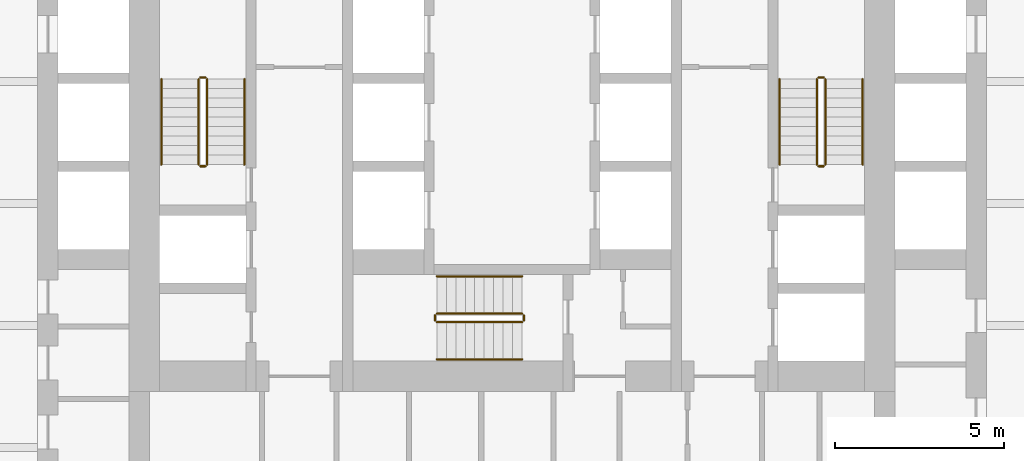
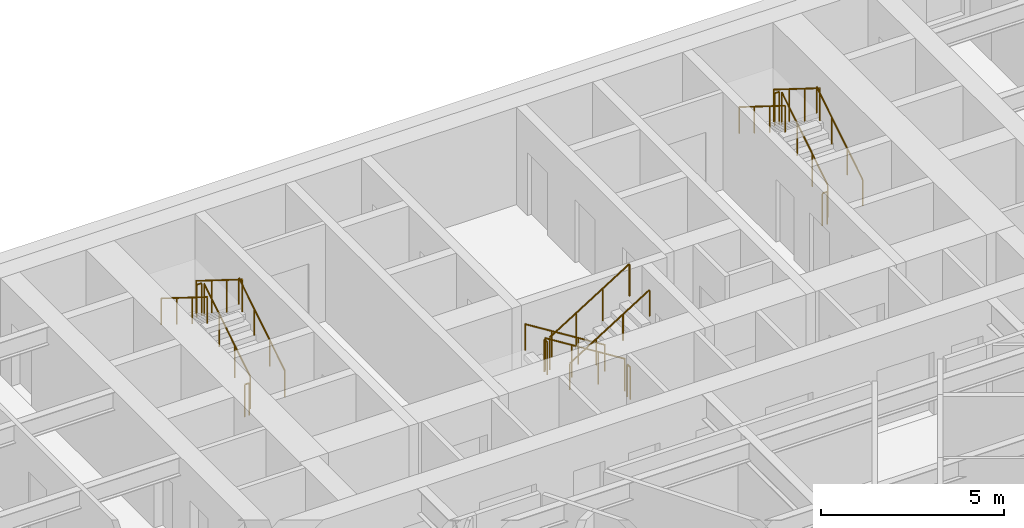
# One storey, part 8 of 9: 18 railings.
"""IFC4 building model written with IfcOpenShell, lengths in metres."""

from ifc_helpers import new_model, si_unit, direction, frame, origin, origin_2d, place, context, subcontext, project, spatial, circle, extrude, material, type_object, element, save


model = new_model("IFC4")

# Units and contexts
model_context = context("Model", 3, precision=1e-05, world=origin(), true_north=direction((0.0, 1.0)))
body_context = subcontext(model_context, "Body", "Model", "MODEL_VIEW")
ifc_project = project(units=[si_unit("LENGTHUNIT", "METRE"), si_unit("AREAUNIT", "SQUARE_METRE"), si_unit("VOLUMEUNIT", "CUBIC_METRE"), si_unit("PLANEANGLEUNIT", "RADIAN"), si_unit("MASSUNIT", "GRAM", prefix="KILO")], contexts=[model_context])

# Site, building, storey
site_placement = place(None, origin())
site = spatial("IfcSite", under=ifc_project, at=site_placement, CompositionType="ELEMENT")
building_placement = place(site_placement, origin())
building = spatial("IfcBuilding", under=site, at=building_placement, Name="Aloe Facet Convention Tower", CompositionType="ELEMENT")
storey_placement = place(building_placement, frame((0.0, 0.0, 120.300048828125)))
storey = spatial("IfcBuildingStorey", under=building, at=storey_placement, Name="L30", CompositionType="ELEMENT", Elevation=120.300048828125)

# Railings
ifc_material_1 = material(Name="Steel S355 balustrade", Category="steel")
railing_type_1 = type_object("IfcRailingType", Name="CR-RL-GUARD", PredefinedType="GUARDRAIL", material=ifc_material_1)
railing_1_placement = place(storey_placement, frame((71.0, 128.949951171875, 0.175048828125)))
element("IfcRailing", 1, at=railing_1_placement, inside=storey, type_object=railing_type_1, Name="L30 ST1 stair guard 1", PredefinedType="GUARDRAIL", context=body_context, shape_type="SweptSolid", body=[
    extrude(circle(Radius=0.02392578125, at=origin_2d()), frame((0.0, 0.0, 1.076171875), z_axis=(0.0, 0.848007534815, 0.529984170421), x_axis=(-1.0, 0.0, 0.0)), (0.0, 0.0, 1.0), 2.9716796875),
    extrude(circle(Radius=0.02099609375, at=origin_2d()), origin(), (0.0, 0.0, 1.0), 1.052001953125),
    extrude(circle(Radius=0.02099609375, at=origin_2d()), frame((0.0, 0.840087890625, 0.52490234375)), (0.0, 0.0, 1.0), 1.052001953125),
    extrude(circle(Radius=0.02099609375, at=origin_2d()), frame((0.0, 1.679931640625, 1.050048828125)), (0.0, 0.0, 1.0), 1.052001953125),
    extrude(circle(Radius=0.02099609375, at=origin_2d()), frame((0.0, 2.52001953125, 1.574951171875)), (0.0, 0.0, 1.0), 1.052001953125),
])
railing_2_placement = place(storey_placement, frame((70.949951171875, 131.52001953125, 1.75)))
element("IfcRailing", 2, at=railing_2_placement, inside=storey, type_object=railing_type_1, Name="L30 ST1 stair guard 2", PredefinedType="GUARDRAIL", context=body_context, shape_type="SweptSolid", body=[
    extrude(circle(Radius=0.02392578125, at=origin_2d()), frame((0.0, 0.0, 1.076171875), z_axis=(-1.0, 0.0, 0.0), x_axis=(0.0, -1.0, 0.0)), (0.0, 0.0, 1.0), 0.14990234375),
    extrude(circle(Radius=0.02099609375, at=origin_2d()), origin(), (0.0, 0.0, 1.0), 1.052001953125),
    extrude(circle(Radius=0.02099609375, at=origin_2d()), frame((-0.14990234375, 0.0, 0.0)), (0.0, 0.0, 1.0), 1.052001953125),
])
railing_3_placement = place(storey_placement, frame((70.75, 131.469970703125, 1.925048828125)))
element("IfcRailing", 3, at=railing_3_placement, inside=storey, type_object=railing_type_1, Name="L30 ST1 stair guard 3", PredefinedType="GUARDRAIL", context=body_context, shape_type="SweptSolid", body=[
    extrude(circle(Radius=0.02392578125, at=origin_2d()), frame((0.0, 0.0, 1.076171875), z_axis=(0.0, -0.848007534815, 0.529984170421), x_axis=(1.0, 0.0, 0.0)), (0.0, 0.0, 1.0), 2.9716796875),
    extrude(circle(Radius=0.02099609375, at=origin_2d()), origin(), (0.0, 0.0, 1.0), 1.052001953125),
    extrude(circle(Radius=0.02099609375, at=origin_2d()), frame((0.0, -0.840087890625, 0.52490234375)), (0.0, 0.0, 1.0), 1.052001953125),
    extrude(circle(Radius=0.02099609375, at=origin_2d()), frame((0.0, -1.679931640625, 1.050048828125)), (0.0, 0.0, 1.0), 1.052001953125),
    extrude(circle(Radius=0.02099609375, at=origin_2d()), frame((0.0, -2.52001953125, 1.574951171875)), (0.0, 0.0, 1.0), 1.052001953125),
])
railing_4_placement = place(storey_placement, frame((70.949951171875, 128.89990234375, 0.0)))
element("IfcRailing", 4, at=railing_4_placement, inside=storey, type_object=railing_type_1, Name="L30 ST1 stair guard 4", PredefinedType="GUARDRAIL", context=body_context, shape_type="SweptSolid", body=[
    extrude(circle(Radius=0.02392578125, at=origin_2d()), frame((0.0, 0.0, 1.076171875), z_axis=(-1.0, 0.0, 0.0), x_axis=(0.0, -1.0, 0.0)), (0.0, 0.0, 1.0), 0.14990234375),
    extrude(circle(Radius=0.02099609375, at=origin_2d()), origin(), (0.0, 0.0, 1.0), 1.052001953125),
    extrude(circle(Radius=0.02099609375, at=origin_2d()), frame((-0.14990234375, 0.0, 0.0)), (0.0, 0.0, 1.0), 1.052001953125),
])
railing_5_placement = place(storey_placement, frame((89.25, 128.949951171875, 0.175048828125)))
element("IfcRailing", 5, at=railing_5_placement, inside=storey, type_object=railing_type_1, Name="L30 ST2 stair guard 1", PredefinedType="GUARDRAIL", context=body_context, shape_type="SweptSolid", body=[
    extrude(circle(Radius=0.02392578125, at=origin_2d()), frame((0.0, 0.0, 1.076171875), z_axis=(0.0, 0.848007534815, 0.529984170421), x_axis=(-1.0, 0.0, 0.0)), (0.0, 0.0, 1.0), 2.9716796875),
    extrude(circle(Radius=0.02099609375, at=origin_2d()), origin(), (0.0, 0.0, 1.0), 1.052001953125),
    extrude(circle(Radius=0.02099609375, at=origin_2d()), frame((0.0, 0.840087890625, 0.52490234375)), (0.0, 0.0, 1.0), 1.052001953125),
    extrude(circle(Radius=0.02099609375, at=origin_2d()), frame((0.0, 1.679931640625, 1.050048828125)), (0.0, 0.0, 1.0), 1.052001953125),
    extrude(circle(Radius=0.02099609375, at=origin_2d()), frame((0.0, 2.52001953125, 1.574951171875)), (0.0, 0.0, 1.0), 1.052001953125),
])
railing_6_placement = place(storey_placement, frame((89.199951171875, 131.52001953125, 1.75)))
element("IfcRailing", 6, at=railing_6_placement, inside=storey, type_object=railing_type_1, Name="L30 ST2 stair guard 2", PredefinedType="GUARDRAIL", context=body_context, shape_type="SweptSolid", body=[
    extrude(circle(Radius=0.02392578125, at=origin_2d()), frame((0.0, 0.0, 1.076171875), z_axis=(-1.0, 0.0, 0.0), x_axis=(0.0, -1.0, 0.0)), (0.0, 0.0, 1.0), 0.14990234375),
    extrude(circle(Radius=0.02099609375, at=origin_2d()), origin(), (0.0, 0.0, 1.0), 1.052001953125),
    extrude(circle(Radius=0.02099609375, at=origin_2d()), frame((-0.14990234375, 0.0, 0.0)), (0.0, 0.0, 1.0), 1.052001953125),
])
railing_7_placement = place(storey_placement, frame((89.0, 131.469970703125, 1.925048828125)))
element("IfcRailing", 7, at=railing_7_placement, inside=storey, type_object=railing_type_1, Name="L30 ST2 stair guard 3", PredefinedType="GUARDRAIL", context=body_context, shape_type="SweptSolid", body=[
    extrude(circle(Radius=0.02392578125, at=origin_2d()), frame((0.0, 0.0, 1.076171875), z_axis=(0.0, -0.848007534815, 0.529984170421), x_axis=(1.0, 0.0, 0.0)), (0.0, 0.0, 1.0), 2.9716796875),
    extrude(circle(Radius=0.02099609375, at=origin_2d()), origin(), (0.0, 0.0, 1.0), 1.052001953125),
    extrude(circle(Radius=0.02099609375, at=origin_2d()), frame((0.0, -0.840087890625, 0.52490234375)), (0.0, 0.0, 1.0), 1.052001953125),
    extrude(circle(Radius=0.02099609375, at=origin_2d()), frame((0.0, -1.679931640625, 1.050048828125)), (0.0, 0.0, 1.0), 1.052001953125),
    extrude(circle(Radius=0.02099609375, at=origin_2d()), frame((0.0, -2.52001953125, 1.574951171875)), (0.0, 0.0, 1.0), 1.052001953125),
])
railing_8_placement = place(storey_placement, frame((89.199951171875, 128.89990234375, 0.0)))
element("IfcRailing", 8, at=railing_8_placement, inside=storey, type_object=railing_type_1, Name="L30 ST2 stair guard 4", PredefinedType="GUARDRAIL", context=body_context, shape_type="SweptSolid", body=[
    extrude(circle(Radius=0.02392578125, at=origin_2d()), frame((0.0, 0.0, 1.076171875), z_axis=(-1.0, 0.0, 0.0), x_axis=(0.0, -1.0, 0.0)), (0.0, 0.0, 1.0), 0.14990234375),
    extrude(circle(Radius=0.02099609375, at=origin_2d()), origin(), (0.0, 0.0, 1.0), 1.052001953125),
    extrude(circle(Radius=0.02099609375, at=origin_2d()), frame((-0.14990234375, 0.0, 0.0)), (0.0, 0.0, 1.0), 1.052001953125),
])
railing_9_placement = place(storey_placement, frame((80.300048828125, 124.550048828125, 0.175048828125)))
element("IfcRailing", 9, at=railing_9_placement, inside=storey, type_object=railing_type_1, Name="L30 ST3 stair guard 1", PredefinedType="GUARDRAIL", context=body_context, shape_type="SweptSolid", body=[
    extrude(circle(Radius=0.02392578125, at=origin_2d()), frame((0.0, 0.0, 1.076171875), z_axis=(-0.848007534815, 0.0, 0.529984170421), x_axis=(0.0, -1.0, 0.0)), (0.0, 0.0, 1.0), 2.9716796875),
    extrude(circle(Radius=0.02099609375, at=origin_2d()), origin(), (0.0, 0.0, 1.0), 1.052001953125),
    extrude(circle(Radius=0.02099609375, at=origin_2d()), frame((-0.840087890625, 0.0, 0.52490234375)), (0.0, 0.0, 1.0), 1.052001953125),
    extrude(circle(Radius=0.02099609375, at=origin_2d()), frame((-1.679931640625, 0.0, 1.050048828125)), (0.0, 0.0, 1.0), 1.052001953125),
    extrude(circle(Radius=0.02099609375, at=origin_2d()), frame((-2.52001953125, 0.0, 1.574951171875)), (0.0, 0.0, 1.0), 1.052001953125),
])
railing_10_placement = place(storey_placement, frame((77.72998046875, 124.5, 1.75)))
element("IfcRailing", 10, at=railing_10_placement, inside=storey, type_object=railing_type_1, Name="L30 ST3 stair guard 2", PredefinedType="GUARDRAIL", context=body_context, shape_type="SweptSolid", body=[
    extrude(circle(Radius=0.02392578125, at=origin_2d()), frame((0.0, 0.0, 1.076171875), z_axis=(0.0, -1.0, 0.0), x_axis=(1.0, 0.0, 0.0)), (0.0, 0.0, 1.0), 0.14990234375),
    extrude(circle(Radius=0.02099609375, at=origin_2d()), origin(), (0.0, 0.0, 1.0), 1.052001953125),
    extrude(circle(Radius=0.02099609375, at=origin_2d()), frame((0.0, -0.14990234375, 0.0)), (0.0, 0.0, 1.0), 1.052001953125),
])
railing_11_placement = place(storey_placement, frame((77.780029296875, 124.300048828125, 1.925048828125)))
element("IfcRailing", 11, at=railing_11_placement, inside=storey, type_object=railing_type_1, Name="L30 ST3 stair guard 3", PredefinedType="GUARDRAIL", context=body_context, shape_type="SweptSolid", body=[
    extrude(circle(Radius=0.02392578125, at=origin_2d()), frame((0.0, 0.0, 1.076171875), z_axis=(0.848007534815, 0.0, 0.529984170421), x_axis=(0.0, 1.0, 0.0)), (0.0, 0.0, 1.0), 2.9716796875),
    extrude(circle(Radius=0.02099609375, at=origin_2d()), origin(), (0.0, 0.0, 1.0), 1.052001953125),
    extrude(circle(Radius=0.02099609375, at=origin_2d()), frame((0.840087890625, 0.0, 0.52490234375)), (0.0, 0.0, 1.0), 1.052001953125),
    extrude(circle(Radius=0.02099609375, at=origin_2d()), frame((1.679931640625, 0.0, 1.050048828125)), (0.0, 0.0, 1.0), 1.052001953125),
    extrude(circle(Radius=0.02099609375, at=origin_2d()), frame((2.52001953125, 0.0, 1.574951171875)), (0.0, 0.0, 1.0), 1.052001953125),
])
railing_12_placement = place(storey_placement, frame((80.35009765625, 124.5, 0.0)))
element("IfcRailing", 12, at=railing_12_placement, inside=storey, type_object=railing_type_1, Name="L30 ST3 stair guard 4", PredefinedType="GUARDRAIL", context=body_context, shape_type="SweptSolid", body=[
    extrude(circle(Radius=0.02392578125, at=origin_2d()), frame((0.0, 0.0, 1.076171875), z_axis=(0.0, -1.0, 0.0), x_axis=(1.0, 0.0, 0.0)), (0.0, 0.0, 1.0), 0.14990234375),
    extrude(circle(Radius=0.02099609375, at=origin_2d()), origin(), (0.0, 0.0, 1.0), 1.052001953125),
    extrude(circle(Radius=0.02099609375, at=origin_2d()), frame((0.0, -0.14990234375, 0.0)), (0.0, 0.0, 1.0), 1.052001953125),
])
ifc_material_2 = material(Name="Steel S355 handrail", Category="steel")
railing_type_2 = type_object("IfcRailingType", Name="CR-RL-HAND", PredefinedType="HANDRAIL", material=ifc_material_2)
railing_13_placement = place(storey_placement, frame((72.10009765625, 128.949951171875, 0.175048828125)))
element("IfcRailing", 13, at=railing_13_placement, inside=storey, type_object=railing_type_2, Name="L30 ST1 stair handrail 1", PredefinedType="HANDRAIL", context=body_context, shape_type="SweptSolid", body=[
    extrude(circle(Radius=0.02392578125, at=origin_2d()), frame((0.0, 0.0, 0.8759765625), z_axis=(0.0, 0.848007534815, 0.529984170421), x_axis=(-1.0, 0.0, 0.0)), (0.0, 0.0, 1.0), 2.9716796875),
    extrude(circle(Radius=0.02099609375, at=origin_2d()), origin(), (0.0, 0.0, 1.0), 0.851806640625),
    extrude(circle(Radius=0.02099609375, at=origin_2d()), frame((0.0, 0.840087890625, 0.52490234375)), (0.0, 0.0, 1.0), 0.851806640625),
    extrude(circle(Radius=0.02099609375, at=origin_2d()), frame((0.0, 1.679931640625, 1.050048828125)), (0.0, 0.0, 1.0), 0.851806640625),
    extrude(circle(Radius=0.02099609375, at=origin_2d()), frame((0.0, 2.52001953125, 1.574951171875)), (0.0, 0.0, 1.0), 0.851806640625),
])
railing_14_placement = place(storey_placement, frame((69.64990234375, 131.469970703125, 1.925048828125)))
element("IfcRailing", 14, at=railing_14_placement, inside=storey, type_object=railing_type_2, Name="L30 ST1 stair handrail 2", PredefinedType="HANDRAIL", context=body_context, shape_type="SweptSolid", body=[
    extrude(circle(Radius=0.02392578125, at=origin_2d()), frame((0.0, 0.0, 0.8759765625), z_axis=(0.0, -0.848007534815, 0.529984170421), x_axis=(1.0, 0.0, 0.0)), (0.0, 0.0, 1.0), 2.9716796875),
    extrude(circle(Radius=0.02099609375, at=origin_2d()), origin(), (0.0, 0.0, 1.0), 0.851806640625),
    extrude(circle(Radius=0.02099609375, at=origin_2d()), frame((0.0, -0.840087890625, 0.52490234375)), (0.0, 0.0, 1.0), 0.851806640625),
    extrude(circle(Radius=0.02099609375, at=origin_2d()), frame((0.0, -1.679931640625, 1.050048828125)), (0.0, 0.0, 1.0), 0.851806640625),
    extrude(circle(Radius=0.02099609375, at=origin_2d()), frame((0.0, -2.52001953125, 1.574951171875)), (0.0, 0.0, 1.0), 0.851806640625),
])
railing_15_placement = place(storey_placement, frame((90.35009765625, 128.949951171875, 0.175048828125)))
element("IfcRailing", 15, at=railing_15_placement, inside=storey, type_object=railing_type_2, Name="L30 ST2 stair handrail 1", PredefinedType="HANDRAIL", context=body_context, shape_type="SweptSolid", body=[
    extrude(circle(Radius=0.02392578125, at=origin_2d()), frame((0.0, 0.0, 0.8759765625), z_axis=(0.0, 0.848007534815, 0.529984170421), x_axis=(-1.0, 0.0, 0.0)), (0.0, 0.0, 1.0), 2.9716796875),
    extrude(circle(Radius=0.02099609375, at=origin_2d()), origin(), (0.0, 0.0, 1.0), 0.851806640625),
    extrude(circle(Radius=0.02099609375, at=origin_2d()), frame((0.0, 0.840087890625, 0.52490234375)), (0.0, 0.0, 1.0), 0.851806640625),
    extrude(circle(Radius=0.02099609375, at=origin_2d()), frame((0.0, 1.679931640625, 1.050048828125)), (0.0, 0.0, 1.0), 0.851806640625),
    extrude(circle(Radius=0.02099609375, at=origin_2d()), frame((0.0, 2.52001953125, 1.574951171875)), (0.0, 0.0, 1.0), 0.851806640625),
])
railing_16_placement = place(storey_placement, frame((87.89990234375, 131.469970703125, 1.925048828125)))
element("IfcRailing", 16, at=railing_16_placement, inside=storey, type_object=railing_type_2, Name="L30 ST2 stair handrail 2", PredefinedType="HANDRAIL", context=body_context, shape_type="SweptSolid", body=[
    extrude(circle(Radius=0.02392578125, at=origin_2d()), frame((0.0, 0.0, 0.8759765625), z_axis=(0.0, -0.848007534815, 0.529984170421), x_axis=(1.0, 0.0, 0.0)), (0.0, 0.0, 1.0), 2.9716796875),
    extrude(circle(Radius=0.02099609375, at=origin_2d()), origin(), (0.0, 0.0, 1.0), 0.851806640625),
    extrude(circle(Radius=0.02099609375, at=origin_2d()), frame((0.0, -0.840087890625, 0.52490234375)), (0.0, 0.0, 1.0), 0.851806640625),
    extrude(circle(Radius=0.02099609375, at=origin_2d()), frame((0.0, -1.679931640625, 1.050048828125)), (0.0, 0.0, 1.0), 0.851806640625),
    extrude(circle(Radius=0.02099609375, at=origin_2d()), frame((0.0, -2.52001953125, 1.574951171875)), (0.0, 0.0, 1.0), 0.851806640625),
])
railing_17_placement = place(storey_placement, frame((80.300048828125, 125.64990234375, 0.175048828125)))
element("IfcRailing", 17, at=railing_17_placement, inside=storey, type_object=railing_type_2, Name="L30 ST3 stair handrail 1", PredefinedType="HANDRAIL", context=body_context, shape_type="SweptSolid", body=[
    extrude(circle(Radius=0.02392578125, at=origin_2d()), frame((0.0, 0.0, 0.8759765625), z_axis=(-0.848007534815, 0.0, 0.529984170421), x_axis=(0.0, -1.0, 0.0)), (0.0, 0.0, 1.0), 2.9716796875),
    extrude(circle(Radius=0.02099609375, at=origin_2d()), origin(), (0.0, 0.0, 1.0), 0.851806640625),
    extrude(circle(Radius=0.02099609375, at=origin_2d()), frame((-0.840087890625, 0.0, 0.52490234375)), (0.0, 0.0, 1.0), 0.851806640625),
    extrude(circle(Radius=0.02099609375, at=origin_2d()), frame((-1.679931640625, 0.0, 1.050048828125)), (0.0, 0.0, 1.0), 0.851806640625),
    extrude(circle(Radius=0.02099609375, at=origin_2d()), frame((-2.52001953125, 0.0, 1.574951171875)), (0.0, 0.0, 1.0), 0.851806640625),
])
railing_18_placement = place(storey_placement, frame((77.780029296875, 123.199951171875, 1.925048828125)))
element("IfcRailing", 18, at=railing_18_placement, inside=storey, type_object=railing_type_2, Name="L30 ST3 stair handrail 2", PredefinedType="HANDRAIL", context=body_context, shape_type="SweptSolid", body=[
    extrude(circle(Radius=0.02392578125, at=origin_2d()), frame((0.0, 0.0, 0.8759765625), z_axis=(0.848007534815, 0.0, 0.529984170421), x_axis=(0.0, 1.0, 0.0)), (0.0, 0.0, 1.0), 2.9716796875),
    extrude(circle(Radius=0.02099609375, at=origin_2d()), origin(), (0.0, 0.0, 1.0), 0.851806640625),
    extrude(circle(Radius=0.02099609375, at=origin_2d()), frame((0.840087890625, 0.0, 0.52490234375)), (0.0, 0.0, 1.0), 0.851806640625),
    extrude(circle(Radius=0.02099609375, at=origin_2d()), frame((1.679931640625, 0.0, 1.050048828125)), (0.0, 0.0, 1.0), 0.851806640625),
    extrude(circle(Radius=0.02099609375, at=origin_2d()), frame((2.52001953125, 0.0, 1.574951171875)), (0.0, 0.0, 1.0), 0.851806640625),
])

save(model, "model.ifc")
